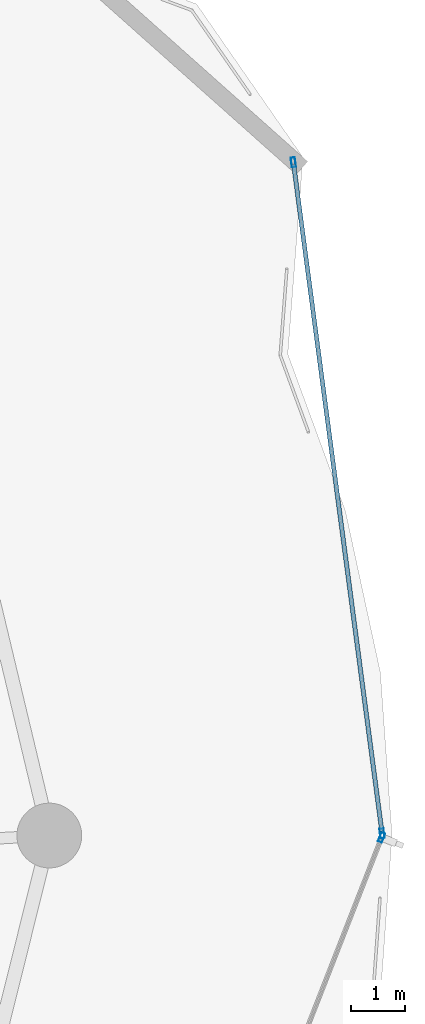
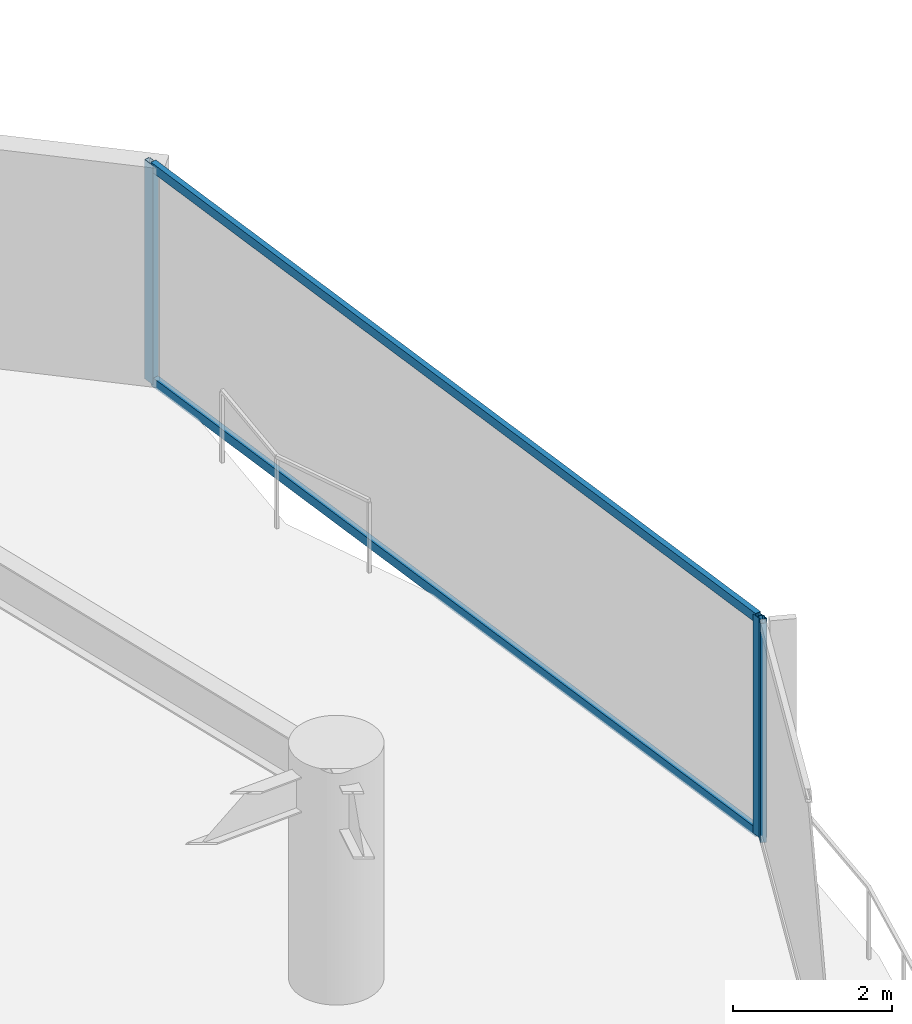
# One storey, part 24 of 33: 5 members, 2 elements without a shape of their own.
"""IFC4 building model written with IfcOpenShell, lengths in metres."""

from ifc_helpers import new_model, si_unit, direction, frame, origin, origin_2d, place, context, subcontext, project, spatial, hollow_rectangle, extrude, material, layer, layer_set, material_profile, profile_set, type_object, element, aggregate, save


model = new_model("IFC4")

# Units and contexts
model_context = context("Model", 3, precision=1e-05, world=origin(), true_north=direction((0.0, 1.0)))
body_context = subcontext(model_context, "Body", "Model", "MODEL_VIEW")
ifc_project = project(units=[si_unit("LENGTHUNIT", "METRE"), si_unit("AREAUNIT", "SQUARE_METRE"), si_unit("VOLUMEUNIT", "CUBIC_METRE"), si_unit("PLANEANGLEUNIT", "RADIAN"), si_unit("MASSUNIT", "GRAM", prefix="KILO")], contexts=[model_context])

# Site, building, storey
site_placement = place(None, origin())
site = spatial("IfcSite", under=ifc_project, at=site_placement, CompositionType="ELEMENT")
building_placement = place(site_placement, origin())
building = spatial("IfcBuilding", under=site, at=building_placement, Name="Kazevale Care Tower and Concert Hall", CompositionType="ELEMENT")
storey_placement = place(building_placement, frame((0.0, 0.0, 145.800048828125)))
storey = spatial("IfcBuildingStorey", under=building, at=storey_placement, Name="L38", CompositionType="ELEMENT", Elevation=145.800048828125)

# Curtain wall, member
ifc_material_1 = material(Name="Aluminium 6063-T6 and Low-E Glass", Category="aluminium")
ifc_layer = layer(ifc_material_1, 0.179931640625)
ifc_layer_set = layer_set([ifc_layer], Name="Aluminium 6063-T6 and Low-E Glass")
curtain_wall_type = type_object("IfcCurtainWallType", Name="Waist & Upper Residential Curtain Wall CW-4", PredefinedType="NOTDEFINED", material=ifc_layer_set)
curtain_wall_1_placement = place(storey_placement, origin())
curtain_wall_1 = element("IfcCurtainWall", 1, at=curtain_wall_1_placement, inside=storey, type_object=curtain_wall_type, Name="cw:L38:f01", PredefinedType="NOTDEFINED")
ifc_material_2 = material(Name="Aluminium 6063-T6", Category="aluminium")
ifc_material_profile_1 = material_profile(ifc_material_2, hollow_rectangle(XDim=0.080078125, YDim=0.179931640625, WallThickness=0.0048828125, at=origin_2d()), Name="ALU80x180x5")
ifc_profile_set_1 = profile_set([ifc_material_profile_1], Name="Aluminium 6063-T6")
member_type_1 = type_object("IfcMemberType", Name="CW-4 Mullion ALU80x180x5", PredefinedType="MULLION", material=ifc_profile_set_1)
member_1_placement = place(storey_placement, frame((79.205322265625, 37.962646484375, 0.0), z_axis=(0.0, 0.0, 1.0), x_axis=(0.931351746651, -0.36412075471, 0.0)))
member_1 = element("IfcMember", 2, at=member_1_placement, type_object=member_type_1, Name="CW-4 mullion 1", PredefinedType="MULLION", context=body_context, shape_type="SweptSolid", body=[
    extrude(hollow_rectangle(XDim=0.080078125, YDim=0.179931640625, WallThickness=0.0048828125, at=origin_2d()), origin(), (0.0, 0.0, 1.0), 3.35986328125),
])
aggregate(curtain_wall_1, [member_1])

# Curtain wall, members
curtain_wall_2_placement = place(storey_placement, origin())
curtain_wall_2 = element("IfcCurtainWall", 3, at=curtain_wall_2_placement, inside=storey, type_object=curtain_wall_type, Name="cw:L38:f18", PredefinedType="NOTDEFINED")
member_2_placement = place(storey_placement, frame((77.5712890625, 50.471435546875, 0.0), z_axis=(0.0, 0.0, 1.0), x_axis=(0.991374005382, 0.131063272711, 0.0)))
member_2 = element("IfcMember", 4, at=member_2_placement, type_object=member_type_1, Name="CW-4 mullion 1", PredefinedType="MULLION", context=body_context, shape_type="SweptSolid", body=[
    extrude(hollow_rectangle(XDim=0.080078125, YDim=0.179931640625, WallThickness=0.0048828125, at=origin_2d()), origin(), (0.0, 0.0, 1.0), 3.35986328125),
])
member_3_placement = place(storey_placement, frame((79.21484375, 38.03955078125, 0.0), z_axis=(0.0, 0.0, 1.0), x_axis=(0.991374005382, 0.131063272711, 0.0)))
member_3 = element("IfcMember", 5, at=member_3_placement, type_object=member_type_1, Name="CW-4 mullion 2", PredefinedType="MULLION", context=body_context, shape_type="SweptSolid", body=[
    extrude(hollow_rectangle(XDim=0.080078125, YDim=0.179931640625, WallThickness=0.0048828125, at=origin_2d()), origin(), (0.0, 0.0, 1.0), 3.35986328125),
])
ifc_material_profile_2 = material_profile(ifc_material_2, hollow_rectangle(XDim=0.080078125, YDim=0.139892578125, WallThickness=0.00390625, at=origin_2d()), Name="ALU80x140x4")
ifc_profile_set_2 = profile_set([ifc_material_profile_2], Name="Aluminium 6063-T6")
member_type_2 = type_object("IfcMemberType", Name="CW-4 Transom ALU80x140x4", PredefinedType="USERDEFINED", material=ifc_profile_set_2)
member_4_placement = place(storey_placement, frame((77.576416015625, 50.431640625, 0.0400390625), z_axis=(0.131066272735, -0.991373608763, 0.0), x_axis=(0.991373608763, 0.131066272735, 0.0)))
member_4 = element("IfcMember", 6, at=member_4_placement, type_object=member_type_2, Name="CW-4 transom 1.1", ObjectType="TRANSOM", PredefinedType="USERDEFINED", context=body_context, shape_type="SweptSolid", body=[
    extrude(hollow_rectangle(XDim=0.080078125, YDim=0.139892578125, WallThickness=0.00390625, at=origin_2d()), origin(), (0.0, 0.0, 1.0), 12.459716796875),
])
member_5_placement = place(storey_placement, frame((77.576416015625, 50.431640625, 3.320068359375), z_axis=(0.131066272735, -0.991373608763, 0.0), x_axis=(0.991373608763, 0.131066272735, 0.0)))
member_5 = element("IfcMember", 7, at=member_5_placement, type_object=member_type_2, Name="CW-4 transom 1.2", ObjectType="TRANSOM", PredefinedType="USERDEFINED", context=body_context, shape_type="SweptSolid", body=[
    extrude(hollow_rectangle(XDim=0.080078125, YDim=0.139892578125, WallThickness=0.00390625, at=origin_2d()), origin(), (0.0, 0.0, 1.0), 12.459716796875),
])
aggregate(curtain_wall_2, [member_2, member_3, member_4, member_5])

save(model, "model.ifc")
